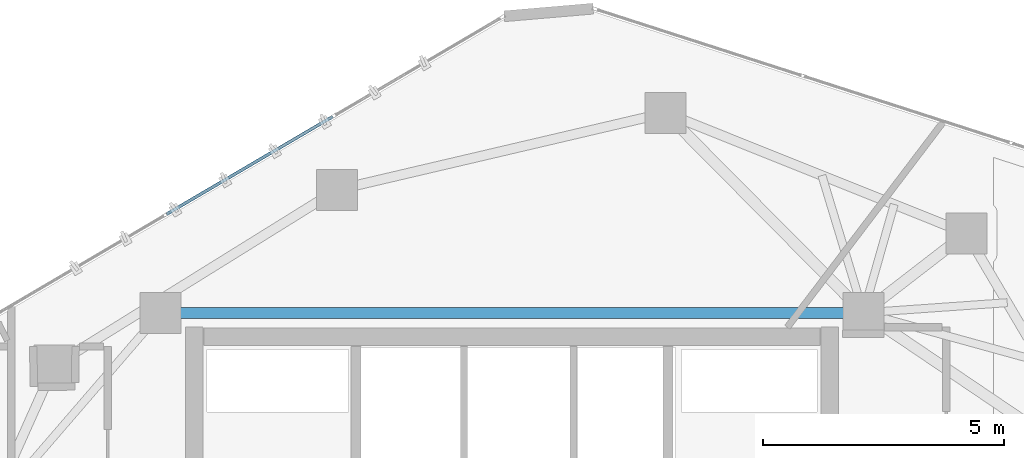
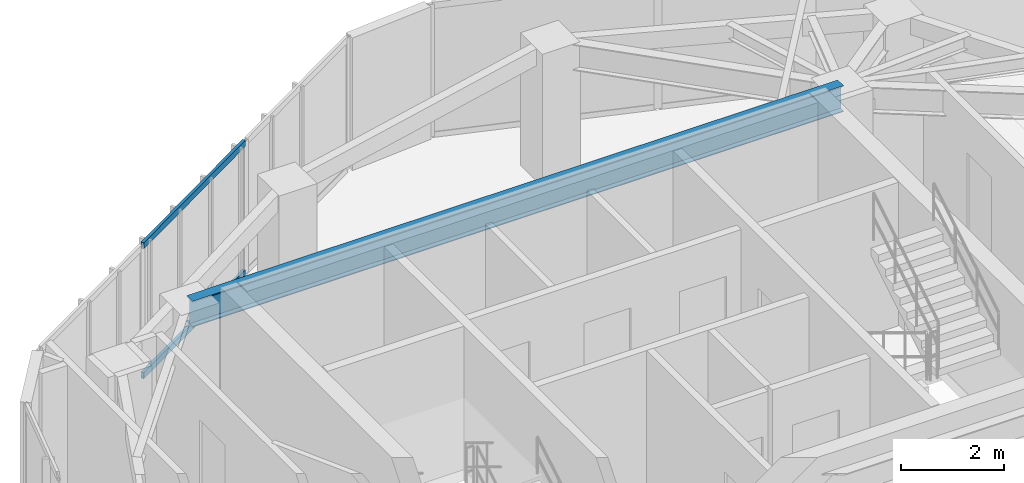
# One storey, part 10 of 20: 2 members, 1 beam, 1 element without a shape of its own.
"""IFC4 building model written with IfcOpenShell, lengths in metres."""

from ifc_helpers import new_model, si_unit, direction, frame, origin, origin_2d, place, context, subcontext, project, spatial, hollow_rectangle, i_section, extrude, source, transform, mapped, material, layer, layer_set, material_profile, profile_set, type_object, type_shapes, element, aggregate, save


model = new_model("IFC4")

# Units and contexts
model_context = context("Model", 3, precision=1e-05, world=origin(), true_north=direction((0.0, 1.0)))
body_context = subcontext(model_context, "Body", "Model", "MODEL_VIEW")
ifc_project = project(units=[si_unit("LENGTHUNIT", "METRE"), si_unit("AREAUNIT", "SQUARE_METRE"), si_unit("VOLUMEUNIT", "CUBIC_METRE"), si_unit("PLANEANGLEUNIT", "RADIAN"), si_unit("MASSUNIT", "GRAM", prefix="KILO")], contexts=[model_context])

# Site, building, storey
site_placement = place(None, origin())
site = spatial("IfcSite", under=ifc_project, at=site_placement, CompositionType="ELEMENT")
building_placement = place(site_placement, origin())
building = spatial("IfcBuilding", under=site, at=building_placement, Name="Talar Marvaseh", CompositionType="ELEMENT")
storey_placement = place(building_placement, frame((0.0, 0.0, 254.39990234375)))
storey = spatial("IfcBuildingStorey", under=building, at=storey_placement, Name="L67", CompositionType="ELEMENT", Elevation=254.39990234375)

# Beam
ifc_material_1 = material(Name="Steel S355", Category="steel")
ifc_material_profile_1 = material_profile(ifc_material_1, i_section(OverallWidth=0.22998046875, OverallDepth=0.616943359375, WebThickness=0.01318359375, FlangeThickness=0.022216796875, at=origin_2d()), Name="W610x140")
ifc_profile_set_1 = profile_set([ifc_material_profile_1], Name="Steel S355")
beam_type = type_object("IfcBeamType", Name="Zone 4 Radial Floor Girder W610x140", PredefinedType="BEAM", material=ifc_profile_set_1)
beam_placement = place(storey_placement, frame((18.699951171875, 36.89990234375, 2.83154296875), z_axis=(1.0, 0.0, 0.0), x_axis=(0.0, 1.0, 0.0)))
element("IfcBeam", 1, at=beam_placement, inside=storey, type_object=beam_type, Name="L67 Zone 4 Radial Floor Girder W610x140", PredefinedType="BEAM", context=body_context, shape_type="SweptSolid", body=[
    extrude(i_section(OverallWidth=0.22998046875, OverallDepth=0.616943359375, WebThickness=0.01318359375, FlangeThickness=0.022216796875, at=origin_2d()), origin(), (0.0, 0.0, 1.0), 14.60009765625),
])

# Curtain wall, members
ifc_material_2 = material(Name="Architectural Aluminium", Category="aluminium")
ifc_layer = layer(ifc_material_2, 0.179931640625)
ifc_layer_set = layer_set([ifc_layer], Name="Architectural Aluminium")
curtain_wall_type = type_object("IfcCurtainWallType", Name="Unitised High-Wind Sky Curtain Wall Z4", PredefinedType="NOTDEFINED", material=ifc_layer_set)
curtain_wall_placement = place(storey_placement, origin())
curtain_wall = element("IfcCurtainWall", 2, at=curtain_wall_placement, inside=storey, type_object=curtain_wall_type, Name="L67 Unitised High-Wind Sky Curtain Wall Z4", PredefinedType="NOTDEFINED")
ifc_material_profile_2 = material_profile(ifc_material_2, hollow_rectangle(XDim=0.06494140625, YDim=0.14990234375, WallThickness=0.00390625, at=origin_2d()), Name="RHS150x65x4")
ifc_profile_set_2 = profile_set([ifc_material_profile_2], Name="Architectural Aluminium")
member_type = type_object("IfcMemberType", Name="Unitised Curtain Wall Slim Transom RHS150x65x4", PredefinedType="USERDEFINED", material=ifc_profile_set_2)
shared_shape = source(origin(), body_context, "Body", "SweptSolid", [
    extrude(hollow_rectangle(XDim=0.06494140625, YDim=0.14990234375, WallThickness=0.00390625, at=origin_2d()), origin(), (0.0, 0.0, 1.0), 4.003662109375),
])
type_shapes(member_type, [shared_shape])
member_1_placement = place(storey_placement, frame((18.82421875, 38.947265625, 0.03271484375), z_axis=(0.86224443569, 0.506492382096, 0.0), x_axis=(-0.506492382096, 0.86224443569, 0.0)))
member_1 = element("IfcMember", 3, at=member_1_placement, type_object=member_type, Name="CW-Z4 transom 2.1", ObjectType="TRANSOM", PredefinedType="USERDEFINED", context=body_context, shape_type="MappedRepresentation", body=[
    mapped(shared_shape, transform((0.0, 0.0, 0.0), x_axis=(1.0, 0.0, 0.0), y_axis=(0.0, 1.0, 0.0), z_axis=(0.0, 0.0, 1.0), scale=1.0)),
])
member_2_placement = place(storey_placement, frame((18.82421875, 38.947265625, 3.107666015625), z_axis=(0.86224443569, 0.506492382096, 0.0), x_axis=(-0.506492382096, 0.86224443569, 0.0)))
member_2 = element("IfcMember", 4, at=member_2_placement, type_object=member_type, Name="CW-Z4 transom 2.2", ObjectType="TRANSOM", PredefinedType="USERDEFINED", context=body_context, shape_type="MappedRepresentation", body=[
    mapped(shared_shape, transform((0.0, 0.0, 0.0), x_axis=(1.0, 0.0, 0.0), y_axis=(0.0, 1.0, 0.0), z_axis=(0.0, 0.0, 1.0), scale=1.0)),
])
aggregate(curtain_wall, [member_1, member_2])

save(model, "model.ifc")
